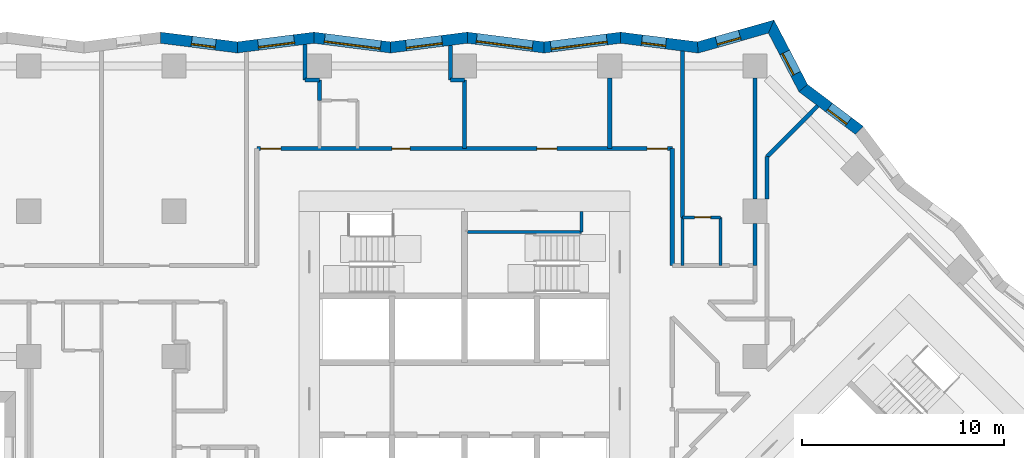
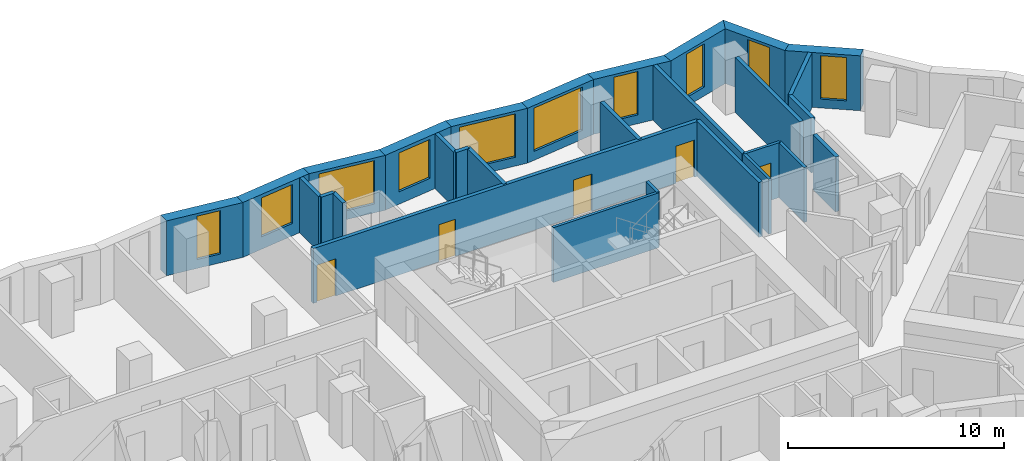
# One storey, part 6 of 12: 29 walls, 10 windows, 5 doors, 15 openings.
"""IFC4 building model written with IfcOpenShell, lengths in metres."""

from ifc_helpers import new_model, si_unit, direction, frame, frame_2d, origin, place, context, subcontext, project, spatial, polyline, rectangle, outline, extrude, material, layer, layer_set, type_object, element, fill, save


model = new_model("IFC4")

# Units and contexts
model_context = context("Model", 3, precision=1e-05, world=origin(), true_north=direction((0.0, 1.0)))
body_context = subcontext(model_context, "Body", "Model", "MODEL_VIEW")
ifc_project = project(units=[si_unit("LENGTHUNIT", "METRE"), si_unit("AREAUNIT", "SQUARE_METRE"), si_unit("VOLUMEUNIT", "CUBIC_METRE"), si_unit("PLANEANGLEUNIT", "RADIAN"), si_unit("MASSUNIT", "GRAM", prefix="KILO")], contexts=[model_context])

# Site, building, storey
site_placement = place(None, origin())
site = spatial("IfcSite", under=ifc_project, at=site_placement, CompositionType="ELEMENT")
building_placement = place(site_placement, origin())
building = spatial("IfcBuilding", under=site, at=building_placement, Name="Windrow Commons", CompositionType="ELEMENT")
storey_placement = place(building_placement, frame((0.0, 0.0, 47.4)))
storey = spatial("IfcBuildingStorey", under=building, at=storey_placement, Name="L12", CompositionType="ELEMENT", Elevation=47.4)

# Wall, opening, window
ifc_material_1 = material(Name="Brick masonry, red clay brick", Category="masonry")
ifc_layer_1 = layer(ifc_material_1, 0.55)
ifc_layer_set_1 = layer_set([ifc_layer_1], Name="Brick facade wall 550")
wall_type_1 = type_object("IfcWallType", Name="Brick facade wall 550", PredefinedType="SOLIDWALL", material=ifc_layer_set_1)
wall_1_placement = place(storey_placement, frame((84.3812, 68.8049, 0.0), z_axis=(0.0, 0.0, 1.0), x_axis=(-0.7985299545, 0.6019550746, 0.0)))
wall_1 = element("IfcWall", 1, at=wall_1_placement, inside=storey, type_object=wall_type_1, Name="Brick facade wall L12 21", PredefinedType="SOLIDWALL", context=body_context, shape_type="SweptSolid", body=[
    extrude(outline(polyline([(-0.0386, -0.275), (3.4291, -0.275), (3.5535, 0.275), (0.0386, 0.275), (-0.0386, -0.275)])), origin(), (0.0, 0.0, 1.0), 3.1),
])
opening_1_placement = place(wall_1_placement, frame((0.6922, 0.0, 0.5)))
opening_1 = element("IfcOpeningElement", 2, at=opening_1_placement, cuts=wall_1, Name="Opening W7D", PredefinedType="OPENING", context=body_context, shape_type="SweptSolid", body=[
    extrude(rectangle(XDim=1.2, YDim=2.45, at=frame_2d((0.6, 1.225))), frame((0.0, 0.285, 0.0), z_axis=(0.0, -1.0, 0.0), x_axis=(1.0, 0.0, 0.0)), (0.0, 0.0, 1.0), 0.57),
])
ifc_material_2 = material(Name="Clear float glass in anodised aluminium frame", Category="aluminium")
window_type_1 = type_object("IfcWindowType", Name="Window W7 notch 1200x2450", PartitioningType="SINGLE_PANEL", PredefinedType="WINDOW", material=ifc_material_2)
window_1_placement = place(opening_1_placement, origin())
window_1 = element("IfcWindow", 3, at=window_1_placement, inside=storey, type_object=window_type_1, Name="Window L12 21.1", OverallHeight=2.45, OverallWidth=1.2, PartitioningType="SINGLE_PANEL", PredefinedType="WINDOW", context=body_context, shape_type="SweptSolid", body=[
    extrude(rectangle(XDim=1.2, YDim=2.45, at=frame_2d((0.6, 1.225))), frame((0.0, 0.155, 0.0), z_axis=(0.0, -1.0, 0.0), x_axis=(1.0, 0.0, 0.0)), (0.0, 0.0, 1.0), 0.06),
])
fill(opening_1, window_1)

wall_2_placement = place(storey_placement, frame((81.5933, 70.9065, 0.0), z_axis=(0.0, 0.0, 1.0), x_axis=(-0.4619496701, 0.8869061407, 0.0)))
wall_2 = element("IfcWall", 4, at=wall_2_placement, inside=storey, type_object=wall_type_1, Name="Brick facade wall L12 22", PredefinedType="SOLIDWALL", context=body_context, shape_type="SweptSolid", body=[
    extrude(outline(polyline([(0.0622, -0.275), (3.6627, -0.275), (3.2143, 0.275), (-0.0622, 0.275), (0.0622, -0.275)])), origin(), (0.0, 0.0, 1.0), 3.1),
])
opening_2_placement = place(wall_2_placement, frame((0.7925, 0.0, 0.5)))
opening_2 = element("IfcOpeningElement", 5, at=opening_2_placement, cuts=wall_2, Name="Opening W7D", PredefinedType="OPENING", context=body_context, shape_type="SweptSolid", body=[
    extrude(rectangle(XDim=1.2, YDim=2.45, at=frame_2d((0.6, 1.225))), frame((0.0, 0.285, 0.0), z_axis=(0.0, -1.0, 0.0), x_axis=(1.0, 0.0, 0.0)), (0.0, 0.0, 1.0), 0.57),
])
window_2_placement = place(opening_2_placement, origin())
window_2 = element("IfcWindow", 6, at=window_2_placement, inside=storey, type_object=window_type_1, Name="Window L12 22.1", OverallHeight=2.45, OverallWidth=1.2, PartitioningType="SINGLE_PANEL", PredefinedType="WINDOW", context=body_context, shape_type="SweptSolid", body=[
    extrude(rectangle(XDim=1.2, YDim=2.45, at=frame_2d((0.6, 1.225))), frame((0.0, 0.155, 0.0), z_axis=(0.0, -1.0, 0.0), x_axis=(1.0, 0.0, 0.0)), (0.0, 0.0, 1.0), 0.06),
])
fill(opening_2, window_2)

wall_3_placement = place(storey_placement, frame((80.0049, 73.9561, 0.0), z_axis=(0.0, 0.0, 1.0), x_axis=(-0.9618046191, -0.2737368713, 0.0)))
wall_3 = element("IfcWall", 7, at=wall_3_placement, inside=storey, type_object=wall_type_1, Name="Brick facade wall L12 23", PredefinedType="SOLIDWALL", context=body_context, shape_type="SweptSolid", body=[
    extrude(outline(polyline([(-0.2242, -0.275), (3.7285, -0.275), (3.841, 0.275), (0.2242, 0.275), (-0.2242, -0.275)])), origin(), (0.0, 0.0, 1.0), 3.1),
])
opening_3_placement = place(wall_3_placement, frame((1.6108, 0.0, 0.5)))
opening_3 = element("IfcOpeningElement", 8, at=opening_3_placement, cuts=wall_3, Name="Opening W7D", PredefinedType="OPENING", context=body_context, shape_type="SweptSolid", body=[
    extrude(rectangle(XDim=1.2, YDim=2.45, at=frame_2d((0.6, 1.225))), frame((0.0, 0.285, 0.0), z_axis=(0.0, -1.0, 0.0), x_axis=(1.0, 0.0, 0.0)), (0.0, 0.0, 1.0), 0.57),
])
window_3_placement = place(opening_3_placement, origin())
window_3 = element("IfcWindow", 9, at=window_3_placement, inside=storey, type_object=window_type_1, Name="Window L12 23.1", OverallHeight=2.45, OverallWidth=1.2, PartitioningType="SINGLE_PANEL", PredefinedType="WINDOW", context=body_context, shape_type="SweptSolid", body=[
    extrude(rectangle(XDim=1.2, YDim=2.45, at=frame_2d((0.6, 1.225))), frame((0.0, 0.155, 0.0), z_axis=(0.0, -1.0, 0.0), x_axis=(1.0, 0.0, 0.0)), (0.0, 0.0, 1.0), 0.06),
])
fill(opening_3, window_3)

wall_4_placement = place(storey_placement, frame((76.3648, 72.9201, 0.0), z_axis=(0.0, 0.0, 1.0), x_axis=(-0.9920579561, 0.1257816033, 0.0)))
wall_4 = element("IfcWall", 10, at=wall_4_placement, inside=storey, type_object=wall_type_1, Name="Brick facade wall L12 24", PredefinedType="SOLIDWALL", context=body_context, shape_type="SweptSolid", body=[
    extrude(outline(polyline([(0.0562, -0.275), (3.8884, -0.275), (3.8186, 0.275), (-0.0562, 0.275), (0.0562, -0.275)])), origin(), (0.0, 0.0, 1.0), 3.1),
])
opening_4_placement = place(wall_4_placement, frame((1.5948, 0.0, 0.5)))
opening_4 = element("IfcOpeningElement", 11, at=opening_4_placement, cuts=wall_4, Name="Opening W7D", PredefinedType="OPENING", context=body_context, shape_type="SweptSolid", body=[
    extrude(rectangle(XDim=1.2, YDim=2.45, at=frame_2d((0.6, 1.225))), frame((0.0, 0.285, 0.0), z_axis=(0.0, -1.0, 0.0), x_axis=(1.0, 0.0, 0.0)), (0.0, 0.0, 1.0), 0.57),
])
window_4_placement = place(opening_4_placement, origin())
window_4 = element("IfcWindow", 12, at=window_4_placement, inside=storey, type_object=window_type_1, Name="Window L12 24.1", OverallHeight=2.45, OverallWidth=1.2, PartitioningType="SINGLE_PANEL", PredefinedType="WINDOW", context=body_context, shape_type="SweptSolid", body=[
    extrude(rectangle(XDim=1.2, YDim=2.45, at=frame_2d((0.6, 1.225))), frame((0.0, 0.155, 0.0), z_axis=(0.0, -1.0, 0.0), x_axis=(1.0, 0.0, 0.0)), (0.0, 0.0, 1.0), 0.06),
])
fill(opening_4, window_4)

wall_5_placement = place(storey_placement, frame((72.5419, 73.4048, 0.0), z_axis=(0.0, 0.0, 1.0), x_axis=(-0.9920583495, -0.1257785003, 0.0)))
wall_5 = element("IfcWall", 13, at=wall_5_placement, inside=storey, type_object=wall_type_1, Name="Brick facade wall L12 25", PredefinedType="SOLIDWALL", context=body_context, shape_type="SweptSolid", body=[
    extrude(outline(polyline([(-0.0349, -0.275), (3.7973, -0.275), (3.867, 0.275), (0.0349, 0.275), (-0.0349, -0.275)])), origin(), (0.0, 0.0, 1.0), 3.1),
])
opening_5_placement = place(wall_5_placement, frame((0.6892, 0.0, 0.5)))
opening_5 = element("IfcOpeningElement", 14, at=opening_5_placement, cuts=wall_5, Name="Opening W1T", PredefinedType="OPENING", context=body_context, shape_type="SweptSolid", body=[
    extrude(rectangle(XDim=2.8, YDim=2.45, at=frame_2d((1.4, 1.225))), frame((0.0, 0.285, 0.0), z_axis=(0.0, -1.0, 0.0), x_axis=(1.0, 0.0, 0.0)), (0.0, 0.0, 1.0), 0.57),
])
ifc_material_3 = material(Name="Clear float glass in anodised aluminium frame", Category="aluminium")
window_type_2 = type_object("IfcWindowType", Name="Window W1T bedroom 2800x2450", PartitioningType="SINGLE_PANEL", PredefinedType="WINDOW", material=ifc_material_3)
window_5_placement = place(opening_5_placement, origin())
window_5 = element("IfcWindow", 15, at=window_5_placement, inside=storey, type_object=window_type_2, Name="Window L12 25.1", OverallHeight=2.45, OverallWidth=2.8, PartitioningType="SINGLE_PANEL", PredefinedType="WINDOW", context=body_context, shape_type="SweptSolid", body=[
    extrude(rectangle(XDim=2.8, YDim=2.45, at=frame_2d((1.4, 1.225))), frame((0.0, 0.155, 0.0), z_axis=(0.0, -1.0, 0.0), x_axis=(1.0, 0.0, 0.0)), (0.0, 0.0, 1.0), 0.06),
])
fill(opening_5, window_5)

wall_6_placement = place(storey_placement, frame((68.7402, 72.9228, 0.0), z_axis=(0.0, 0.0, 1.0), x_axis=(-0.9920583495, 0.1257785003, 0.0)))
wall_6 = element("IfcWall", 16, at=wall_6_placement, inside=storey, type_object=wall_type_1, Name="Brick facade wall L12 26", PredefinedType="SOLIDWALL", context=body_context, shape_type="SweptSolid", body=[
    extrude(outline(polyline([(0.0349, -0.275), (3.867, -0.275), (3.7973, 0.275), (-0.0349, 0.275), (0.0349, -0.275)])), origin(), (0.0, 0.0, 1.0), 3.1),
])
opening_6_placement = place(wall_6_placement, frame((0.5701, 0.0, 0.5)))
opening_6 = element("IfcOpeningElement", 17, at=opening_6_placement, cuts=wall_6, Name="Opening W1T", PredefinedType="OPENING", context=body_context, shape_type="SweptSolid", body=[
    extrude(rectangle(XDim=2.8, YDim=2.45, at=frame_2d((1.4, 1.225))), frame((0.0, 0.285, 0.0), z_axis=(0.0, -1.0, 0.0), x_axis=(1.0, 0.0, 0.0)), (0.0, 0.0, 1.0), 0.57),
])
window_6_placement = place(opening_6_placement, origin())
window_6 = element("IfcWindow", 18, at=window_6_placement, inside=storey, type_object=window_type_2, Name="Window L12 26.1", OverallHeight=2.45, OverallWidth=2.8, PartitioningType="SINGLE_PANEL", PredefinedType="WINDOW", context=body_context, shape_type="SweptSolid", body=[
    extrude(rectangle(XDim=2.8, YDim=2.45, at=frame_2d((1.4, 1.225))), frame((0.0, 0.155, 0.0), z_axis=(0.0, -1.0, 0.0), x_axis=(1.0, 0.0, 0.0)), (0.0, 0.0, 1.0), 0.06),
])
fill(opening_6, window_6)

wall_7_placement = place(storey_placement, frame((64.9385, 73.4048, 0.0), z_axis=(0.0, 0.0, 1.0), x_axis=(-0.9920583495, -0.1257785003, 0.0)))
wall_7 = element("IfcWall", 19, at=wall_7_placement, inside=storey, type_object=wall_type_1, Name="Brick facade wall L12 27", PredefinedType="SOLIDWALL", context=body_context, shape_type="SweptSolid", body=[
    extrude(outline(polyline([(-0.0349, -0.275), (3.7973, -0.275), (3.867, 0.275), (0.0349, 0.275), (-0.0349, -0.275)])), origin(), (0.0, 0.0, 1.0), 3.1),
])
opening_7_placement = place(wall_7_placement, frame((1.2568, 0.0, 0.7)))
opening_7 = element("IfcOpeningElement", 20, at=opening_7_placement, cuts=wall_7, Name="Opening W6", PredefinedType="OPENING", context=body_context, shape_type="SweptSolid", body=[
    extrude(rectangle(XDim=1.8, YDim=2.2, at=frame_2d((0.9, 1.1))), frame((0.0, 0.285, 0.0), z_axis=(0.0, -1.0, 0.0), x_axis=(1.0, 0.0, 0.0)), (0.0, 0.0, 1.0), 0.57),
])
ifc_material_4 = material(Name="Clear float glass in anodised aluminium frame", Category="aluminium")
window_type_3 = type_object("IfcWindowType", Name="Window W6 crown 1800x2200", PartitioningType="SINGLE_PANEL", PredefinedType="WINDOW", material=ifc_material_4)
window_7_placement = place(opening_7_placement, origin())
window_7 = element("IfcWindow", 21, at=window_7_placement, inside=storey, type_object=window_type_3, Name="Window L12 27.1A", OverallHeight=2.2, OverallWidth=1.8, PartitioningType="SINGLE_PANEL", PredefinedType="WINDOW", context=body_context, shape_type="SweptSolid", body=[
    extrude(rectangle(XDim=1.8, YDim=2.2, at=frame_2d((0.9, 1.1))), frame((0.0, 0.155, 0.0), z_axis=(0.0, -1.0, 0.0), x_axis=(1.0, 0.0, 0.0)), (0.0, 0.0, 1.0), 0.06),
])
fill(opening_7, window_7)

wall_8_placement = place(storey_placement, frame((61.1368, 72.9228, 0.0), z_axis=(0.0, 0.0, 1.0), x_axis=(-0.9920587623, 0.1257752442, 0.0)))
wall_8 = element("IfcWall", 22, at=wall_8_placement, inside=storey, type_object=wall_type_1, Name="Brick facade wall L12 28", PredefinedType="SOLIDWALL", context=body_context, shape_type="SweptSolid", body=[
    extrude(outline(polyline([(0.0349, -0.275), (3.867, -0.275), (3.7973, 0.275), (-0.0349, 0.275), (0.0349, -0.275)])), origin(), (0.0, 0.0, 1.0), 3.1),
])
opening_8_placement = place(wall_8_placement, frame((0.4986, 0.0, 0.5)))
opening_8 = element("IfcOpeningElement", 23, at=opening_8_placement, cuts=wall_8, Name="Opening W1T", PredefinedType="OPENING", context=body_context, shape_type="SweptSolid", body=[
    extrude(rectangle(XDim=2.8, YDim=2.45, at=frame_2d((1.4, 1.225))), frame((0.0, 0.285, 0.0), z_axis=(0.0, -1.0, 0.0), x_axis=(1.0, 0.0, 0.0)), (0.0, 0.0, 1.0), 0.57),
])
window_8_placement = place(opening_8_placement, origin())
window_8 = element("IfcWindow", 24, at=window_8_placement, inside=storey, type_object=window_type_2, Name="Window L12 28.1", OverallHeight=2.45, OverallWidth=2.8, PartitioningType="SINGLE_PANEL", PredefinedType="WINDOW", context=body_context, shape_type="SweptSolid", body=[
    extrude(rectangle(XDim=2.8, YDim=2.45, at=frame_2d((1.4, 1.225))), frame((0.0, 0.155, 0.0), z_axis=(0.0, -1.0, 0.0), x_axis=(1.0, 0.0, 0.0)), (0.0, 0.0, 1.0), 0.06),
])
fill(opening_8, window_8)

wall_9_placement = place(storey_placement, frame((57.335, 73.4048, 0.0), z_axis=(0.0, 0.0, 1.0), x_axis=(-0.9920583495, -0.1257785003, 0.0)))
wall_9 = element("IfcWall", 25, at=wall_9_placement, inside=storey, type_object=wall_type_1, Name="Brick facade wall L12 29", PredefinedType="SOLIDWALL", context=body_context, shape_type="SweptSolid", body=[
    extrude(outline(polyline([(-0.0349, -0.275), (3.7973, -0.275), (3.867, 0.275), (0.0349, 0.275), (-0.0349, -0.275)])), origin(), (0.0, 0.0, 1.0), 3.1),
])
opening_9_placement = place(wall_9_placement, frame((0.9858, 0.0, 0.7)))
opening_9 = element("IfcOpeningElement", 26, at=opening_9_placement, cuts=wall_9, Name="Opening W6", PredefinedType="OPENING", context=body_context, shape_type="SweptSolid", body=[
    extrude(rectangle(XDim=1.8, YDim=2.2, at=frame_2d((0.9, 1.1))), frame((0.0, 0.285, 0.0), z_axis=(0.0, -1.0, 0.0), x_axis=(1.0, 0.0, 0.0)), (0.0, 0.0, 1.0), 0.57),
])
window_9_placement = place(opening_9_placement, origin())
window_9 = element("IfcWindow", 27, at=window_9_placement, inside=storey, type_object=window_type_3, Name="Window L12 29.1A", OverallHeight=2.2, OverallWidth=1.8, PartitioningType="SINGLE_PANEL", PredefinedType="WINDOW", context=body_context, shape_type="SweptSolid", body=[
    extrude(rectangle(XDim=1.8, YDim=2.2, at=frame_2d((0.9, 1.1))), frame((0.0, 0.155, 0.0), z_axis=(0.0, -1.0, 0.0), x_axis=(1.0, 0.0, 0.0)), (0.0, 0.0, 1.0), 0.06),
])
fill(opening_9, window_9)

wall_10_placement = place(storey_placement, frame((53.5333, 72.9228, 0.0), z_axis=(0.0, 0.0, 1.0), x_axis=(-0.9920583495, 0.1257785003, 0.0)))
wall_10 = element("IfcWall", 28, at=wall_10_placement, inside=storey, type_object=wall_type_1, Name="Brick facade wall L12 30", PredefinedType="SOLIDWALL", context=body_context, shape_type="SweptSolid", body=[
    extrude(outline(polyline([(0.0349, -0.275), (3.867, -0.275), (3.7973, 0.275), (-0.0349, 0.275), (0.0349, -0.275)])), origin(), (0.0, 0.0, 1.0), 3.1),
])
opening_10_placement = place(wall_10_placement, frame((1.0792, 0.0, 0.5)))
opening_10 = element("IfcOpeningElement", 29, at=opening_10_placement, cuts=wall_10, Name="Opening W7D", PredefinedType="OPENING", context=body_context, shape_type="SweptSolid", body=[
    extrude(rectangle(XDim=1.2, YDim=2.45, at=frame_2d((0.6, 1.225))), frame((0.0, 0.285, 0.0), z_axis=(0.0, -1.0, 0.0), x_axis=(1.0, 0.0, 0.0)), (0.0, 0.0, 1.0), 0.57),
])
window_10_placement = place(opening_10_placement, origin())
window_10 = element("IfcWindow", 30, at=window_10_placement, inside=storey, type_object=window_type_1, Name="Window L12 30.1", OverallHeight=2.45, OverallWidth=1.2, PartitioningType="SINGLE_PANEL", PredefinedType="WINDOW", context=body_context, shape_type="SweptSolid", body=[
    extrude(rectangle(XDim=1.2, YDim=2.45, at=frame_2d((0.6, 1.225))), frame((0.0, 0.155, 0.0), z_axis=(0.0, -1.0, 0.0), x_axis=(1.0, 0.0, 0.0)), (0.0, 0.0, 1.0), 0.06),
])
fill(opening_10, window_10)

# Wall, openings, doors
ifc_material_5 = material(Name="Blockwork partition", Category="masonry")
ifc_layer_2 = layer(ifc_material_5, 0.2)
ifc_layer_set_2 = layer_set([ifc_layer_2], Name="IW-CORRIDOR-200")
wall_type_2 = type_object("IfcWallType", Name="IW-CORRIDOR-200", PredefinedType="PARTITIONING", material=ifc_layer_set_2)
wall_11_placement = place(storey_placement, frame((54.5, 67.9, 0.0), z_axis=(0.0, 0.0, 1.0), x_axis=(1.0, 0.0, 0.0)))
wall_11 = element("IfcWall", 31, at=wall_11_placement, inside=storey, type_object=wall_type_2, Name="W-L12-W003", PredefinedType="PARTITIONING", context=body_context, shape_type="SweptSolid", body=[
    extrude(rectangle(XDim=20.6, YDim=0.2, at=frame_2d((10.3, 0.0))), origin(), (0.0, 0.0, 1.0), 3.1),
])
opening_11_placement = place(wall_11_placement, frame((0.1975, 0.0, 0.0)))
opening_11 = element("IfcOpeningElement", 32, at=opening_11_placement, cuts=wall_11, Name="Opening D310F", PredefinedType="OPENING", context=body_context, shape_type="SweptSolid", body=[
    extrude(rectangle(XDim=1.0, YDim=2.1, at=frame_2d((0.5, 1.05))), frame((0.0, 0.11, 0.0), z_axis=(0.0, -1.0, 0.0), x_axis=(1.0, 0.0, 0.0)), (0.0, 0.0, 1.0), 0.22),
])
opening_12_placement = place(wall_11_placement, frame((19.3578, 0.0, 0.0)))
opening_12 = element("IfcOpeningElement", 33, at=opening_12_placement, cuts=wall_11, Name="Opening D310F", PredefinedType="OPENING", context=body_context, shape_type="SweptSolid", body=[
    extrude(rectangle(XDim=1.0, YDim=2.1, at=frame_2d((0.5, 1.05))), frame((0.0, 0.11, 0.0), z_axis=(0.0, -1.0, 0.0), x_axis=(1.0, 0.0, 0.0)), (0.0, 0.0, 1.0), 0.22),
])
opening_13_placement = place(wall_11_placement, frame((6.6983, 0.0, 0.0)))
opening_13 = element("IfcOpeningElement", 34, at=opening_13_placement, cuts=wall_11, Name="Opening D109F", PredefinedType="OPENING", context=body_context, shape_type="SweptSolid", body=[
    extrude(rectangle(XDim=0.9, YDim=2.1, at=frame_2d((0.45, 1.05))), frame((0.0, 0.11, 0.0), z_axis=(0.0, -1.0, 0.0), x_axis=(1.0, 0.0, 0.0)), (0.0, 0.0, 1.0), 0.22),
])
opening_14_placement = place(wall_11_placement, frame((13.8837, 0.0, 0.0)))
opening_14 = element("IfcOpeningElement", 35, at=opening_14_placement, cuts=wall_11, Name="Opening D310F", PredefinedType="OPENING", context=body_context, shape_type="SweptSolid", body=[
    extrude(rectangle(XDim=1.0, YDim=2.1, at=frame_2d((0.5, 1.05))), frame((0.0, 0.11, 0.0), z_axis=(0.0, -1.0, 0.0), x_axis=(1.0, 0.0, 0.0)), (0.0, 0.0, 1.0), 0.22),
])
ifc_material_6 = material(Name="Timber door leaf", Category="wood")
door_type_1 = type_object("IfcDoorType", Name="DT-AMENITY-1000", OperationType="SINGLE_SWING_LEFT", PredefinedType="DOOR", material=ifc_material_6)
door_1_placement = place(opening_11_placement, origin())
door_1 = element("IfcDoor", 36, at=door_1_placement, inside=storey, type_object=door_type_1, Name="D-L12-D010", OperationType="SINGLE_SWING_LEFT", OverallHeight=2.1, OverallWidth=1.0, PredefinedType="DOOR", context=body_context, shape_type="SweptSolid", body=[
    extrude(rectangle(XDim=1.0, YDim=2.1, at=frame_2d((0.5, 1.05))), frame((0.0, 0.025, 0.0), z_axis=(0.0, -1.0, 0.0), x_axis=(1.0, 0.0, 0.0)), (0.0, 0.0, 1.0), 0.05),
])
fill(opening_11, door_1)
door_2_placement = place(opening_12_placement, origin())
door_2 = element("IfcDoor", 37, at=door_2_placement, inside=storey, type_object=door_type_1, Name="D-L12-D011", OperationType="SINGLE_SWING_RIGHT", OverallHeight=2.1, OverallWidth=1.0, PredefinedType="DOOR", context=body_context, shape_type="SweptSolid", body=[
    extrude(rectangle(XDim=1.0, YDim=2.1, at=frame_2d((0.5, 1.05))), frame((0.0, 0.025, 0.0), z_axis=(0.0, -1.0, 0.0), x_axis=(1.0, 0.0, 0.0)), (0.0, 0.0, 1.0), 0.05),
])
fill(opening_12, door_2)
door_3_placement = place(opening_14_placement, origin())
door_3 = element("IfcDoor", 38, at=door_3_placement, inside=storey, type_object=door_type_1, Name="D-L12-D024", OperationType="SINGLE_SWING_RIGHT", OverallHeight=2.1, OverallWidth=1.0, PredefinedType="DOOR", context=body_context, shape_type="SweptSolid", body=[
    extrude(rectangle(XDim=1.0, YDim=2.1, at=frame_2d((0.5, 1.05))), frame((0.0, 0.025, 0.0), z_axis=(0.0, -1.0, 0.0), x_axis=(1.0, 0.0, 0.0)), (0.0, 0.0, 1.0), 0.05),
])
fill(opening_14, door_3)
ifc_material_7 = material(Name="Timber door leaf", Category="wood")
door_type_2 = type_object("IfcDoorType", Name="DT-BEDROOM-900", OperationType="SINGLE_SWING_LEFT", PredefinedType="DOOR", material=ifc_material_7)
door_4_placement = place(opening_13_placement, origin())
door_4 = element("IfcDoor", 39, at=door_4_placement, inside=storey, type_object=door_type_2, Name="D-L12-D022", OperationType="SINGLE_SWING_RIGHT", OverallHeight=2.1, OverallWidth=0.9, PredefinedType="DOOR", context=body_context, shape_type="SweptSolid", body=[
    extrude(rectangle(XDim=0.9, YDim=2.1, at=frame_2d((0.45, 1.05))), frame((0.0, 0.025, 0.0), z_axis=(0.0, -1.0, 0.0), x_axis=(1.0, 0.0, 0.0)), (0.0, 0.0, 1.0), 0.05),
])
fill(opening_13, door_4)

# Walls
wall_12_placement = place(storey_placement, frame((75.1, 62.102, 0.0), z_axis=(0.0, 0.0, 1.0), x_axis=(0.0, 1.0, 0.0)))
element("IfcWall", 40, at=wall_12_placement, inside=storey, type_object=wall_type_2, Name="W-L12-W034", PredefinedType="PARTITIONING", context=body_context, shape_type="SweptSolid", body=[
    extrude(rectangle(XDim=5.798, YDim=0.2, at=frame_2d((2.899, 0.0))), origin(), (0.0, 0.0, 1.0), 3.1),
])
ifc_material_8 = material(Name="Blockwork partition", Category="masonry")
ifc_layer_3 = layer(ifc_material_8, 0.15)
ifc_layer_set_3 = layer_set([ifc_layer_3], Name="IW-ENSUITE-150")
wall_type_3 = type_object("IfcWallType", Name="IW-ENSUITE-150", PredefinedType="PARTITIONING", material=ifc_layer_set_3)
for number, where, z_axis, x_axis, name in (
    (41, (75.6, 62.1, 0.0), (0.0, 0.0, 1.0), (0.0, 1.0, 0.0), "W-L12-W080"),
    (42, (77.5, 62.1, 0.0), (0.0, 0.0, 1.0), (0.0, 1.0, 0.0), "W-L12-W081"),
):
    element("IfcWall", number, at=place(storey_placement, frame(where, z_axis=z_axis, x_axis=x_axis)), inside=storey, type_object=wall_type_3, Name=name, PredefinedType="PARTITIONING", context=body_context, shape_type="SweptSolid", body=[
        extrude(rectangle(XDim=2.4, YDim=0.15, at=frame_2d((1.2, 0.0))), origin(), (0.0, 0.0, 1.0), 3.1),
    ])

# Wall, opening, door
wall_13_placement = place(storey_placement, frame((75.6, 64.5, 0.0), z_axis=(0.0, 0.0, 1.0), x_axis=(1.0, 0.0, 0.0)))
wall_13 = element("IfcWall", 43, at=wall_13_placement, inside=storey, type_object=wall_type_3, Name="W-L12-W108", PredefinedType="PARTITIONING", context=body_context, shape_type="SweptSolid", body=[
    extrude(rectangle(XDim=1.9, YDim=0.15, at=frame_2d((0.95, 0.0))), origin(), (0.0, 0.0, 1.0), 3.1),
])
opening_15_placement = place(wall_13_placement, frame((0.6069, 0.0, 0.0)))
opening_15 = element("IfcOpeningElement", 44, at=opening_15_placement, cuts=wall_13, Name="Opening D208N", PredefinedType="OPENING", context=body_context, shape_type="SweptSolid", body=[
    extrude(rectangle(XDim=0.8, YDim=2.1, at=frame_2d((0.4, 1.05))), frame((0.0, 0.085, 0.0), z_axis=(0.0, -1.0, 0.0), x_axis=(1.0, 0.0, 0.0)), (0.0, 0.0, 1.0), 0.17),
])
ifc_material_9 = material(Name="Timber door leaf", Category="wood")
door_type_3 = type_object("IfcDoorType", Name="DT-ENSUITE-800", OperationType="SINGLE_SWING_LEFT", PredefinedType="DOOR", material=ifc_material_9)
door_5_placement = place(opening_15_placement, origin())
door_5 = element("IfcDoor", 45, at=door_5_placement, inside=storey, type_object=door_type_3, Name="D-L12-D013", OperationType="SINGLE_SWING_RIGHT", OverallHeight=2.1, OverallWidth=0.8, PredefinedType="DOOR", context=body_context, shape_type="SweptSolid", body=[
    extrude(rectangle(XDim=0.8, YDim=2.1, at=frame_2d((0.4, 1.05))), frame((0.0, 0.025, 0.0), z_axis=(0.0, -1.0, 0.0), x_axis=(1.0, 0.0, 0.0)), (0.0, 0.0, 1.0), 0.05),
])
fill(opening_15, door_5)

# Walls
ifc_material_10 = material(Name="Blockwork partition", Category="masonry")
ifc_layer_4 = layer(ifc_material_10, 0.2)
ifc_layer_set_4 = layer_set([ifc_layer_4], Name="IW-PARTY-200")
wall_type_4 = type_object("IfcWallType", Name="IW-PARTY-200", PredefinedType="PARTITIONING", material=ifc_layer_set_4)
wall_14_placement = place(storey_placement, frame((75.6, 64.5, 0.0), z_axis=(0.0, 0.0, 1.0), x_axis=(0.0, 1.0, 0.0)))
element("IfcWall", 46, at=wall_14_placement, inside=storey, type_object=wall_type_4, Name="W-L12-W018", PredefinedType="PARTITIONING", context=body_context, shape_type="SweptSolid", body=[
    extrude(rectangle(XDim=8.2399, YDim=0.2, at=frame_2d((4.12, 0.0))), origin(), (0.0, 0.0, 1.0), 3.1),
])
wall_15_placement = place(storey_placement, frame((79.2, 65.4, 0.0), z_axis=(0.0, 0.0, 1.0), x_axis=(0.0, 1.0, 0.0)))
element("IfcWall", 47, at=wall_15_placement, inside=storey, type_object=wall_type_4, Name="W-L12-W031", PredefinedType="PARTITIONING", context=body_context, shape_type="SweptSolid", body=[
    extrude(rectangle(XDim=6.0, YDim=0.2, at=frame_2d((3.0, 0.0))), origin(), (0.0, 0.0, 1.0), 3.1),
])
wall_16_placement = place(storey_placement, frame((79.7988, 67.5092, 0.0), z_axis=(0.0, 0.0, 1.0), x_axis=(0.7070927062, 0.7071208559, 0.0)))
element("IfcWall", 48, at=wall_16_placement, inside=storey, type_object=wall_type_4, Name="W-L12-W050", PredefinedType="PARTITIONING", context=body_context, shape_type="SweptSolid", body=[
    extrude(rectangle(XDim=3.5524, YDim=0.2, at=frame_2d((1.7762, 0.0))), origin(), (0.0, 0.0, 1.0), 3.1),
])
wall_17_placement = place(storey_placement, frame((72.0, 67.9, 0.0), z_axis=(0.0, 0.0, 1.0), x_axis=(0.0, 1.0, 0.0)))
element("IfcWall", 49, at=wall_17_placement, inside=storey, type_object=wall_type_4, Name="W-L12-W051", PredefinedType="PARTITIONING", context=body_context, shape_type="SweptSolid", body=[
    extrude(rectangle(XDim=3.5, YDim=0.2, at=frame_2d((1.75, 0.0))), origin(), (0.0, 0.0, 1.0), 3.1),
])
wall_18_placement = place(storey_placement, frame((64.8, 67.9, 0.0), z_axis=(0.0, 0.0, 1.0), x_axis=(0.0, 1.0, 0.0)))
element("IfcWall", 50, at=wall_18_placement, inside=storey, type_object=wall_type_4, Name="W-L12-W052", PredefinedType="PARTITIONING", context=body_context, shape_type="SweptSolid", body=[
    extrude(rectangle(XDim=3.396, YDim=0.2, at=frame_2d((1.698, 0.0))), origin(), (0.0, 0.0, 1.0), 3.1),
])
wall_19_placement = place(storey_placement, frame((79.8, 65.4, 0.0), z_axis=(0.0, 0.0, 1.0), x_axis=(0.0, 1.0, 0.0)))
element("IfcWall", 51, at=wall_19_placement, inside=storey, type_object=wall_type_4, Name="W-L12-W097", PredefinedType="PARTITIONING", context=body_context, shape_type="SweptSolid", body=[
    extrude(rectangle(XDim=2.108, YDim=0.2, at=frame_2d((1.054, 0.0))), origin(), (0.0, 0.0, 1.0), 3.1),
])
wall_20_placement = place(storey_placement, frame((79.2, 62.1, 0.0), z_axis=(0.0, 0.0, 1.0), x_axis=(0.0, 1.0, 0.0)))
element("IfcWall", 52, at=wall_20_placement, inside=storey, type_object=wall_type_4, Name="W-L12-W101", PredefinedType="PARTITIONING", context=body_context, shape_type="SweptSolid", body=[
    extrude(rectangle(XDim=2.1, YDim=0.2, at=frame_2d((1.05, 0.0))), origin(), (0.0, 0.0, 1.0), 3.1),
])
wall_21_placement = place(storey_placement, frame((56.9, 71.296, 0.0), z_axis=(0.0, 0.0, 1.0), x_axis=(0.0, 1.0, 0.0)))
element("IfcWall", 53, at=wall_21_placement, inside=storey, type_object=wall_type_4, Name="W-L12-W133", PredefinedType="PARTITIONING", context=body_context, shape_type="SweptSolid", body=[
    extrude(rectangle(XDim=1.7764, YDim=0.2, at=frame_2d((0.8882, 0.0))), origin(), (0.0, 0.0, 1.0), 3.1),
])
wall_22_placement = place(storey_placement, frame((64.1, 71.296, 0.0), z_axis=(0.0, 0.0, 1.0), x_axis=(0.0, 1.0, 0.0)))
element("IfcWall", 54, at=wall_22_placement, inside=storey, type_object=wall_type_4, Name="W-L12-W134", PredefinedType="PARTITIONING", context=body_context, shape_type="SweptSolid", body=[
    extrude(rectangle(XDim=1.7253, YDim=0.2, at=frame_2d((0.8627, 0.0))), origin(), (0.0, 0.0, 1.0), 3.1),
])
wall_23_placement = place(storey_placement, frame((57.6, 70.3, 0.0), z_axis=(0.0, 0.0, 1.0), x_axis=(0.0, 1.0, 0.0)))
element("IfcWall", 55, at=wall_23_placement, inside=storey, type_object=wall_type_4, Name="W-L12-W150", PredefinedType="PARTITIONING", context=body_context, shape_type="SweptSolid", body=[
    extrude(rectangle(XDim=0.996, YDim=0.2, at=frame_2d((0.498, 0.0))), origin(), (0.0, 0.0, 1.0), 3.1),
])
for number, where, z_axis, x_axis, name in (
    (56, (56.9, 71.3, 0.0), (0.0, 0.0, 1.0), (1.0, 0.0, 0.0), "W-L12-W154"),
    (57, (64.1, 71.3, 0.0), (0.0, 0.0, 1.0), (1.0, 0.0, 0.0), "W-L12-W155"),
):
    element("IfcWall", number, at=place(storey_placement, frame(where, z_axis=z_axis, x_axis=x_axis)), inside=storey, type_object=wall_type_4, Name=name, PredefinedType="PARTITIONING", context=body_context, shape_type="SweptSolid", body=[
        extrude(rectangle(XDim=0.7, YDim=0.2, at=frame_2d((0.35, 0.0))), origin(), (0.0, 0.0, 1.0), 3.1),
    ])
ifc_material_11 = material(Name="Blockwork partition", Category="masonry")
ifc_layer_5 = layer(ifc_material_11, 0.15)
ifc_layer_set_5 = layer_set([ifc_layer_5], Name="Riser partition 150")
wall_type_5 = type_object("IfcWallType", Name="Riser partition 150", PredefinedType="PARTITIONING", material=ifc_layer_set_5)
wall_24_placement = place(storey_placement, frame((64.95, 63.78, 0.0), z_axis=(0.0, 0.0, 1.0), x_axis=(1.0, 0.0, 0.0)))
element("IfcWall", 58, at=wall_24_placement, inside=storey, type_object=wall_type_5, Name="W-core-strip-A-L12", PredefinedType="PARTITIONING", context=body_context, shape_type="SweptSolid", body=[
    extrude(rectangle(XDim=5.65, YDim=0.15, at=frame_2d((2.825, 0.0))), origin(), (0.0, 0.0, 1.0), 3.1),
])
wall_25_placement = place(storey_placement, frame((70.6, 63.78, 0.0), z_axis=(0.0, 0.0, 1.0), x_axis=(0.0, 1.0, 0.0)))
element("IfcWall", 59, at=wall_25_placement, inside=storey, type_object=wall_type_5, Name="W-core-stripx-A-L12-1", PredefinedType="PARTITIONING", context=body_context, shape_type="SweptSolid", body=[
    extrude(rectangle(XDim=1.02, YDim=0.15, at=frame_2d((0.51, 0.0))), origin(), (0.0, 0.0, 1.0), 3.1),
])

save(model, "model.ifc")
